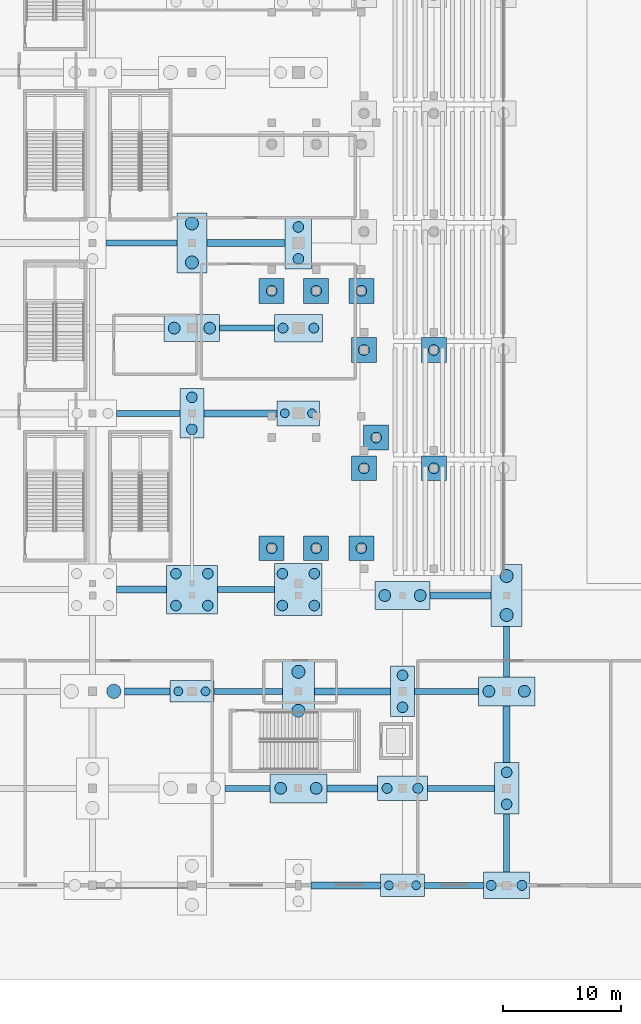
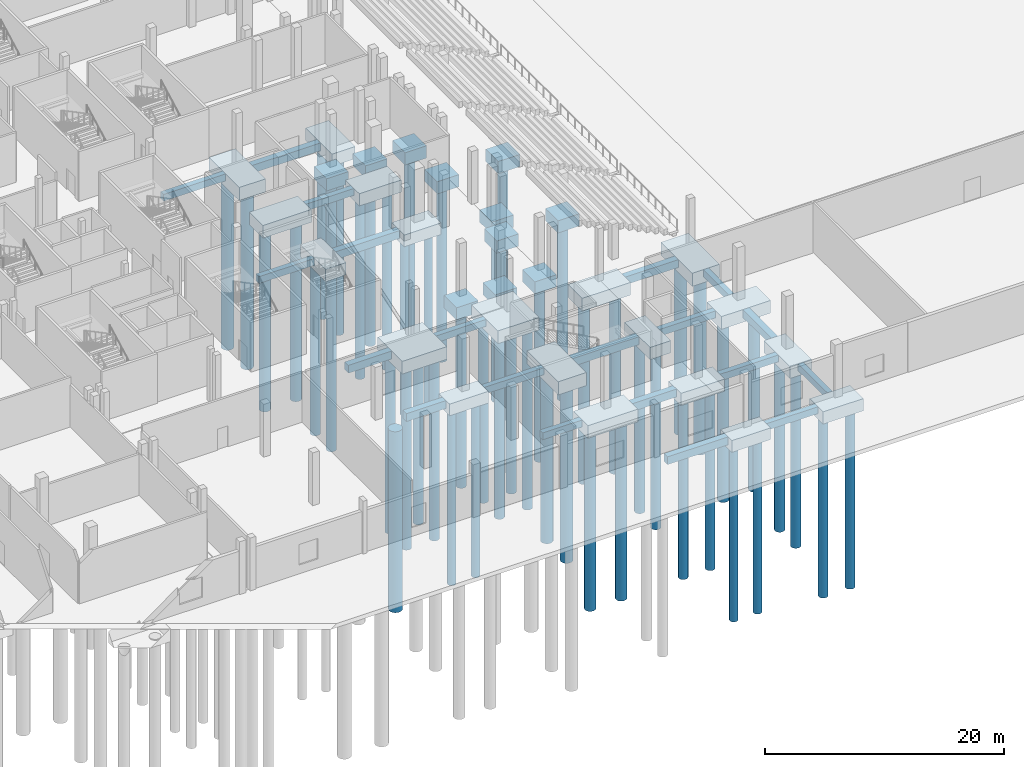
# One storey, part 3 of 89: 54 piles, 50 footings.
"""IFC4 building model written with IfcOpenShell, lengths in metres."""

import ifcopenshell
import ifcopenshell.guid

model = None  # the IFC model being written
_history = None  # IfcOwnerHistory: only IFC2X3 demands one
_inside = {}  # id of a spatial element -> (the spatial element, [elements in it])
_under = {}  # id of a project, library or spatial element -> (it, [spatial elements below it])
_declared = {}  # id of a project -> (the project, [libraries it declares])
_typed = {}  # id of a type object -> (the type object, [elements of that type])
_made_of = {}  # id of a material, layer set ... -> (it, [elements and type objects made of it])


def new_model(schema):
    """Start an empty IFC model of exactly this schema.

    Asked for "IFC4X3", IfcOpenShell would pick the latest addendum, in which some entities
    have other attributes; the version numbers below select the first issue.
    IFC2X3 requires an IfcOwnerHistory on every rooted entity: one is made here for all.
    """
    global model, _history
    if schema == "IFC4X3":
        model = ifcopenshell.file(schema_version=(4, 3, 0, 0))
    else:
        model = ifcopenshell.file(schema=schema)
    _inside.clear()
    _under.clear()
    _declared.clear()
    _typed.clear()
    _made_of.clear()
    _history = None
    if model.schema == "IFC2X3":
        org = make("IfcOrganization", Name="unknown")
        user = make(
            "IfcPersonAndOrganization",
            ThePerson=make("IfcPerson", FamilyName="unknown"),
            TheOrganization=org,
        )
        app = make(
            "IfcApplication",
            ApplicationDeveloper=org,
            Version="unknown",
            ApplicationFullName="unknown",
            ApplicationIdentifier="unknown",
        )
        _history = make(
            "IfcOwnerHistory",
            OwningUser=user,
            OwningApplication=app,
            ChangeAction="ADDED",
            CreationDate=0,
        )
    return model


def make(cls, **values):
    """One entity of the class cls with the attributes given. An attribute that is None is left unset."""
    return model.create_entity(
        cls, **{name: value for name, value in values.items() if value is not None}
    )


def rooted(cls, **values):
    """An entity with a GlobalId (a new one), such as an element, a storey or a relation."""
    return make(cls, GlobalId=ifcopenshell.guid.new(), OwnerHistory=_history, **values)


def si_unit(unit_type, name, prefix=None):
    """IfcSIUnit, for example si_unit("LENGTHUNIT", "METRE", prefix="MILLI")."""
    return make("IfcSIUnit", UnitType=unit_type, Prefix=prefix, Name=name)


def assignment(units):
    """IfcUnitAssignment: the units of a project."""
    return None if units is None else make("IfcUnitAssignment", Units=units)


def point(xyz):
    """IfcCartesianPoint."""
    return None if xyz is None else make("IfcCartesianPoint", Coordinates=xyz)


def direction(xyz):
    """IfcDirection."""
    return None if xyz is None else make("IfcDirection", DirectionRatios=xyz)


def frame(location, z_axis=None, x_axis=None):
    """IfcAxis2Placement3D, a coordinate frame: its origin and axes. An axis left out is left unset."""
    return make(
        "IfcAxis2Placement3D",
        Location=point(location),
        Axis=direction(z_axis),
        RefDirection=direction(x_axis),
    )


def frame_2d(location, x_axis=None):
    """IfcAxis2Placement2D, a coordinate frame in the plane: its origin and x axis."""
    return make(
        "IfcAxis2Placement2D", Location=point(location), RefDirection=direction(x_axis)
    )


def origin():
    """The frame at (0, 0, 0) with its axes left unset."""
    return frame((0.0, 0.0, 0.0))


def origin_2d():
    """The frame at (0, 0) in the plane with its x axis left unset."""
    return frame_2d((0.0, 0.0))


def place(relative_to, where):
    """IfcLocalPlacement: puts the frame where relative to a parent placement (None: the world)."""
    return make(
        "IfcLocalPlacement", PlacementRelTo=relative_to, RelativePlacement=where
    )


def context(
    kind, dimensions, precision=None, world=None, true_north=None, identifier=None
):
    """IfcGeometricRepresentationContext, for example the 3D "Model" context."""
    return make(
        "IfcGeometricRepresentationContext",
        ContextIdentifier=identifier,
        ContextType=kind,
        CoordinateSpaceDimension=dimensions,
        Precision=precision,
        WorldCoordinateSystem=world,
        TrueNorth=true_north,
    )


def subcontext(parent, identifier, kind, view, scale=None):
    """IfcGeometricRepresentationSubContext, for example "Body" below "Model"."""
    return make(
        "IfcGeometricRepresentationSubContext",
        ContextIdentifier=identifier,
        ContextType=kind,
        ParentContext=parent,
        TargetScale=scale,
        TargetView=view,
    )


def project(units=None, contexts=None):
    """IfcProject with its units and contexts."""
    return rooted(
        "IfcProject",
        Name="project",
        RepresentationContexts=contexts,
        UnitsInContext=assignment(units),
    )


def spatial(cls, under=None, at=None, **own):
    """A site, building, storey or space (cls), placed at a placement, below another one or the project."""
    s = rooted(cls, ObjectPlacement=at, **own)
    if under is not None:
        _under.setdefault(under.id(), (under, []))[1].append(s)
    return s


def profile(cls, at=None, kind="AREA", **sizes):
    """A parametric profile (cls). Its sizes go by their IFC names, for example OverallWidth=200.0."""
    return make(cls, ProfileType=kind, Position=at, **sizes)


def rectangle(**sizes):
    """IfcRectangleProfileDef."""
    return profile("IfcRectangleProfileDef", **sizes)


def circle(**sizes):
    """IfcCircleProfileDef."""
    return profile("IfcCircleProfileDef", **sizes)


def extrude(swept, where, along, depth):
    """IfcExtrudedAreaSolid: the profile swept, set in the frame where, extruded along a direction by depth."""
    return make(
        "IfcExtrudedAreaSolid",
        SweptArea=swept,
        Position=where,
        ExtrudedDirection=direction(along),
        Depth=depth,
    )


def shape(context_of_items, identifier, shape_type, items):
    """IfcShapeRepresentation: the items that make up one representation, for example the "Body"."""
    return make(
        "IfcShapeRepresentation",
        ContextOfItems=context_of_items,
        RepresentationIdentifier=identifier,
        RepresentationType=shape_type,
        Items=items,
    )


def material(Name=None, Category=None):
    """IfcMaterial."""
    return make("IfcMaterial", Name=Name, Category=Category)


def material_profile(
    of_material, cross_section, Name=None, Category=None, Priority=None
):
    """IfcMaterialProfile: a cross section and its material."""
    return make(
        "IfcMaterialProfile",
        Name=Name,
        Material=of_material,
        Profile=cross_section,
        Priority=Priority,
        Category=Category,
    )


def profile_set(profiles, Name=None, composite=None):
    """IfcMaterialProfileSet."""
    return make(
        "IfcMaterialProfileSet",
        Name=Name,
        MaterialProfiles=profiles,
        CompositeProfile=composite,
    )


def made_of(thing, what):
    """Note that an element or type object is made of a material, layer set ...; save() writes the relation."""
    if what is not None:
        _made_of.setdefault(what.id(), (what, []))[1].append(thing)
    return thing


def type_object(cls, material=None, **own):
    """A type object (cls), such as IfcWallType, which elements share."""
    return made_of(rooted(cls, **own), material)


def element(
    cls,
    number,
    at=None,
    inside=None,
    cuts=None,
    type_object=None,
    material=None,
    context=None,
    identifier="Body",
    shape_type=None,
    held_by="IfcProductDefinitionShape",
    body=None,
    shapes=None,
    **own,
):
    """One element of the class cls, such as IfcWall. Its Tag is "e" and its number.

    at: its placement. inside: the storey or other place that contains it. cuts: it is an
    opening in that element (IfcRelVoidsElement). A single representation is given by context,
    identifier, shape_type and body (its items); several are given by shapes. held_by: the class
    of the entity that holds the representations. save() writes the other relations.
    """
    e = rooted(cls, Tag="e%d" % number, ObjectPlacement=at, **own)
    if body is not None:
        shapes = [shape(context, identifier, shape_type, body)]
    if shapes is not None:
        e.Representation = make(held_by, Representations=shapes)
    if inside is not None:
        _inside.setdefault(inside.id(), (inside, []))[1].append(e)
    if cuts is not None:
        rooted(
            "IfcRelVoidsElement", RelatingBuildingElement=cuts, RelatedOpeningElement=e
        )
    if type_object is not None:
        _typed.setdefault(type_object.id(), (type_object, []))[1].append(e)
    return made_of(e, material)


def aggregate(whole, parts):
    """IfcRelAggregates: a whole, such as a stair, and the parts it consists of."""
    return rooted("IfcRelAggregates", RelatingObject=whole, RelatedObjects=parts)


def save(model, path):
    """Write the relations noted so far, then the file.

    IfcRelAggregates (storeys below a building ...), IfcRelContainedInSpatialStructure (elements
    in a storey), IfcRelDefinesByType, IfcRelAssociatesMaterial and IfcRelDeclares: one each for
    every whole, place, type object, material and project.
    """
    for whole, parts in _under.values():
        aggregate(whole, parts)
    for where, things in _inside.values():
        rooted(
            "IfcRelContainedInSpatialStructure",
            RelatedElements=things,
            RelatingStructure=where,
        )
    for kind, things in _typed.values():
        rooted("IfcRelDefinesByType", RelatedObjects=things, RelatingType=kind)
    for what, things in _made_of.values():
        rooted("IfcRelAssociatesMaterial", RelatedObjects=things, RelatingMaterial=what)
    for by, libraries in _declared.values():
        rooted("IfcRelDeclares", RelatingContext=by, RelatedDefinitions=libraries)
    model.write(path)


model = new_model("IFC4")

# Units and contexts
model_context = context("Model", 3, precision=1e-05, world=origin(), true_north=direction((0.0, 1.0)))
body_context = subcontext(model_context, "Body", "Model", "MODEL_VIEW")
ifc_project = project(units=[si_unit("LENGTHUNIT", "METRE"), si_unit("AREAUNIT", "SQUARE_METRE"), si_unit("VOLUMEUNIT", "CUBIC_METRE"), si_unit("PLANEANGLEUNIT", "RADIAN"), si_unit("MASSUNIT", "GRAM", prefix="KILO")], contexts=[model_context])

# Site, building, storey
site_placement = place(None, origin())
site = spatial("IfcSite", under=ifc_project, at=site_placement, CompositionType="ELEMENT")
building_placement = place(site_placement, origin())
building = spatial("IfcBuilding", under=site, at=building_placement, Name="Koshinbarg Plaza Stadium", CompositionType="ELEMENT")
storey_placement = place(building_placement, origin())
storey = spatial("IfcBuildingStorey", under=building, at=storey_placement, Name="L00", CompositionType="ELEMENT", Elevation=0.0)

# Footings
ifc_material = material(Name="Concrete C35/45", Category="concrete")
ifc_material_profile_1 = material_profile(ifc_material, rectangle(XDim=0.5, YDim=0.699951171875, at=origin_2d()), Name="GB 500x700")
ifc_profile_set_1 = profile_set([ifc_material_profile_1], Name="Concrete C35/45")
footing_type_1 = type_object("IfcFootingType", Name="FT-GB-01", PredefinedType="FOOTING_BEAM", material=ifc_profile_set_1)
footing_1_placement = place(storey_placement, frame((74.27001953125, 0.0, -0.75), z_axis=(1.0, 0.0, 0.0), x_axis=(0.0, 1.0, 0.0)))
element("IfcFooting", 1, at=footing_1_placement, inside=storey, type_object=footing_type_1, Name="Ground footing beam GB-X-007", PredefinedType="FOOTING_BEAM", context=body_context, shape_type="SweptSolid", body=[
    extrude(rectangle(XDim=0.5, YDim=0.699951171875, at=origin_2d()), origin(), (0.0, 0.0, 1.0), 4.97998046875),
])
footing_2_placement = place(storey_placement, frame((57.3798828125, 8.199951171875, -0.75), z_axis=(1.0, 0.0, 0.0), x_axis=(0.0, 1.0, 0.0)))
element("IfcFooting", 2, at=footing_2_placement, inside=storey, type_object=footing_type_1, Name="Ground footing beam GB-X-021", PredefinedType="FOOTING_BEAM", context=body_context, shape_type="SweptSolid", body=[
    extrude(rectangle(XDim=0.5, YDim=0.699951171875, at=origin_2d()), origin(), (0.0, 0.0, 1.0), 3.800048828125),
])
footing_3_placement = place(storey_placement, frame((74.510009765625, 8.199951171875, -0.75), z_axis=(1.0, 0.0, 0.0), x_axis=(0.0, 1.0, 0.0)))
element("IfcFooting", 3, at=footing_3_placement, inside=storey, type_object=footing_type_1, Name="Ground footing beam GB-X-023", PredefinedType="FOOTING_BEAM", context=body_context, shape_type="SweptSolid", body=[
    extrude(rectangle(XDim=0.5, YDim=0.699951171875, at=origin_2d()), origin(), (0.0, 0.0, 1.0), 5.64990234375),
])
footing_4_placement = place(storey_placement, frame((56.469970703125, 16.39990234375, -0.75), z_axis=(1.0, 0.0, 0.0), x_axis=(0.0, 1.0, 0.0)))
element("IfcFooting", 4, at=footing_4_placement, inside=storey, type_object=footing_type_1, Name="Ground footing beam GB-X-037", PredefinedType="FOOTING_BEAM", context=body_context, shape_type="SweptSolid", body=[
    extrude(rectangle(XDim=0.5, YDim=0.699951171875, at=origin_2d()), origin(), (0.0, 0.0, 1.0), 5.77001953125),
])
footing_5_placement = place(storey_placement, frame((73.39990234375, 16.39990234375, -0.75), z_axis=(1.0, 0.0, 0.0), x_axis=(0.0, 1.0, 0.0)))
element("IfcFooting", 5, at=footing_5_placement, inside=storey, type_object=footing_type_1, Name="Ground footing beam GB-X-039", PredefinedType="FOOTING_BEAM", context=body_context, shape_type="SweptSolid", body=[
    extrude(rectangle(XDim=0.5, YDim=0.699951171875, at=origin_2d()), origin(), (0.0, 0.0, 1.0), 5.420166015625),
])
footing_6_placement = place(storey_placement, frame((56.760009765625, 25.0, -0.800048828125), z_axis=(1.0, 0.0, 0.0), x_axis=(0.0, 1.0, 0.0)))
element("IfcFooting", 6, at=footing_6_placement, inside=storey, type_object=footing_type_1, Name="Ground footing beam GB-X-053", PredefinedType="FOOTING_BEAM", context=body_context, shape_type="SweptSolid", body=[
    extrude(rectangle(XDim=0.5, YDim=0.699951171875, at=origin_2d()), origin(), (0.0, 0.0, 1.0), 4.840087890625),
])
footing_7_placement = place(storey_placement, frame((48.22998046875, 39.89990234375, -0.800048828125), z_axis=(1.0, 0.0, 0.0), x_axis=(0.0, 1.0, 0.0)))
element("IfcFooting", 7, at=footing_7_placement, inside=storey, type_object=footing_type_1, Name="Ground footing beam GB-X-065", PredefinedType="FOOTING_BEAM", context=body_context, shape_type="SweptSolid", body=[
    extrude(rectangle(XDim=0.5, YDim=0.699951171875, at=origin_2d()), origin(), (0.0, 0.0, 1.0), 5.3701171875),
])
footing_8_placement = place(storey_placement, frame((56.93994140625, 47.10009765625, -0.800048828125), z_axis=(1.0, 0.0, 0.0), x_axis=(0.0, 1.0, 0.0)))
element("IfcFooting", 8, at=footing_8_placement, inside=storey, type_object=footing_type_1, Name="Ground footing beam GB-X-075", PredefinedType="FOOTING_BEAM", context=body_context, shape_type="SweptSolid", body=[
    extrude(rectangle(XDim=0.5, YDim=0.699951171875, at=origin_2d()), origin(), (0.0, 0.0, 1.0), 4.630126953125),
])
footing_9_placement = place(storey_placement, frame((47.320068359375, 54.300048828125, -0.800048828125), z_axis=(1.0, 0.0, 0.0), x_axis=(0.0, 1.0, 0.0)))
element("IfcFooting", 9, at=footing_9_placement, inside=storey, type_object=footing_type_1, Name="Ground footing beam GB-X-083", PredefinedType="FOOTING_BEAM", context=body_context, shape_type="SweptSolid", body=[
    extrude(rectangle(XDim=0.5, YDim=0.699951171875, at=origin_2d()), origin(), (0.0, 0.0, 1.0), 6.0),
])
footing_10_placement = place(storey_placement, frame((81.199951171875, 1.1201171875, -0.75), z_axis=(0.0, 1.0, 0.0), x_axis=(-1.0, 0.0, 0.0)))
element("IfcFooting", 10, at=footing_10_placement, inside=storey, type_object=footing_type_1, Name="Ground footing beam GB-Y-231", PredefinedType="FOOTING_BEAM", context=body_context, shape_type="SweptSolid", body=[
    extrude(rectangle(XDim=0.5, YDim=0.699951171875, at=origin_2d()), origin(), (0.0, 0.0, 1.0), 4.909912109375),
])
footing_11_placement = place(storey_placement, frame((81.199951171875, 17.6201171875, -0.75), z_axis=(0.0, 1.0, 0.0), x_axis=(-1.0, 0.0, 0.0)))
element("IfcFooting", 11, at=footing_11_placement, inside=storey, type_object=footing_type_1, Name="Ground footing beam GB-Y-233", PredefinedType="FOOTING_BEAM", context=body_context, shape_type="SweptSolid", body=[
    extrude(rectangle(XDim=0.5, YDim=0.699951171875, at=origin_2d()), origin(), (0.0, 0.0, 1.0), 4.259765625),
])
ifc_material_profile_2 = material_profile(ifc_material, rectangle(XDim=0.60009765625, YDim=0.800048828125, at=origin_2d()), Name="GB 600x800")
ifc_profile_set_2 = profile_set([ifc_material_profile_2], Name="Concrete C35/45")
footing_type_2 = type_object("IfcFootingType", Name="FT-GB-02", PredefinedType="FOOTING_BEAM", material=ifc_profile_set_2)
footing_12_placement = place(storey_placement, frame((64.679931640625, 0.0, -0.800048828125), z_axis=(1.0, 0.0, 0.0), x_axis=(0.0, 1.0, 0.0)))
element("IfcFooting", 12, at=footing_12_placement, inside=storey, type_object=footing_type_2, Name="Ground footing beam GB-X-006", PredefinedType="FOOTING_BEAM", context=body_context, shape_type="SweptSolid", body=[
    extrude(rectangle(XDim=0.60009765625, YDim=0.800048828125, at=origin_2d()), origin(), (0.0, 0.0, 1.0), 5.85009765625),
])
footing_13_placement = place(storey_placement, frame((66.02001953125, 8.199951171875, -0.800048828125), z_axis=(1.0, 0.0, 0.0), x_axis=(0.0, 1.0, 0.0)))
element("IfcFooting", 13, at=footing_13_placement, inside=storey, type_object=footing_type_2, Name="Ground footing beam GB-X-022", PredefinedType="FOOTING_BEAM", context=body_context, shape_type="SweptSolid", body=[
    extrude(rectangle(XDim=0.60009765625, YDim=0.800048828125, at=origin_2d()), origin(), (0.0, 0.0, 1.0), 4.27001953125),
])
footing_14_placement = place(storey_placement, frame((48.89990234375, 16.39990234375, -0.800048828125), z_axis=(1.0, 0.0, 0.0), x_axis=(0.0, 1.0, 0.0)))
element("IfcFooting", 14, at=footing_14_placement, inside=storey, type_object=footing_type_2, Name="Ground footing beam GB-X-036", PredefinedType="FOOTING_BEAM", context=body_context, shape_type="SweptSolid", body=[
    extrude(rectangle(XDim=0.60009765625, YDim=0.800048828125, at=origin_2d()), origin(), (0.0, 0.0, 1.0), 3.830078125),
])
footing_15_placement = place(storey_placement, frame((64.9599609375, 16.39990234375, -0.800048828125), z_axis=(1.0, 0.0, 0.0), x_axis=(0.0, 1.0, 0.0)))
element("IfcFooting", 15, at=footing_15_placement, inside=storey, type_object=footing_type_2, Name="Ground footing beam GB-X-038", PredefinedType="FOOTING_BEAM", context=body_context, shape_type="SweptSolid", body=[
    extrude(rectangle(XDim=0.60009765625, YDim=0.800048828125, at=origin_2d()), origin(), (0.0, 0.0, 1.0), 6.43994140625),
])
footing_16_placement = place(storey_placement, frame((48.239990234375, 25.0, -0.85009765625), z_axis=(1.0, 0.0, 0.0), x_axis=(0.0, 1.0, 0.0)))
element("IfcFooting", 16, at=footing_16_placement, inside=storey, type_object=footing_type_2, Name="Ground footing beam GB-X-052", PredefinedType="FOOTING_BEAM", context=body_context, shape_type="SweptSolid", body=[
    extrude(rectangle(XDim=0.60009765625, YDim=0.800048828125, at=origin_2d()), origin(), (0.0, 0.0, 1.0), 4.199951171875),
])
footing_17_placement = place(storey_placement, frame((74.739990234375, 24.5, -0.800048828125), z_axis=(1.0, 0.0, 0.0), x_axis=(0.0, 1.0, 0.0)))
element("IfcFooting", 17, at=footing_17_placement, inside=storey, type_object=footing_type_2, Name="Ground footing beam GB-X-054", PredefinedType="FOOTING_BEAM", context=body_context, shape_type="SweptSolid", body=[
    extrude(rectangle(XDim=0.60009765625, YDim=0.800048828125, at=origin_2d()), origin(), (0.0, 0.0, 1.0), 5.139892578125),
])
footing_18_placement = place(storey_placement, frame((55.60009765625, 39.89990234375, -0.85009765625), z_axis=(1.0, 0.0, 0.0), x_axis=(0.0, 1.0, 0.0)))
element("IfcFooting", 18, at=footing_18_placement, inside=storey, type_object=footing_type_2, Name="Ground footing beam GB-X-066", PredefinedType="FOOTING_BEAM", context=body_context, shape_type="SweptSolid", body=[
    extrude(rectangle(XDim=0.60009765625, YDim=0.800048828125, at=origin_2d()), origin(), (0.0, 0.0, 1.0), 6.2099609375),
])
footing_19_placement = place(storey_placement, frame((55.8798828125, 54.300048828125, -0.85009765625), z_axis=(1.0, 0.0, 0.0), x_axis=(0.0, 1.0, 0.0)))
element("IfcFooting", 19, at=footing_19_placement, inside=storey, type_object=footing_type_2, Name="Ground footing beam GB-X-084", PredefinedType="FOOTING_BEAM", context=body_context, shape_type="SweptSolid", body=[
    extrude(rectangle(XDim=0.60009765625, YDim=0.800048828125, at=origin_2d()), origin(), (0.0, 0.0, 1.0), 6.60009765625),
])
footing_20_placement = place(storey_placement, frame((81.199951171875, 10.3701171875, -0.800048828125), z_axis=(0.0, 1.0, 0.0), x_axis=(-1.0, 0.0, 0.0)))
element("IfcFooting", 20, at=footing_20_placement, inside=storey, type_object=footing_type_2, Name="Ground footing beam GB-Y-232", PredefinedType="FOOTING_BEAM", context=body_context, shape_type="SweptSolid", body=[
    extrude(rectangle(XDim=0.60009765625, YDim=0.800048828125, at=origin_2d()), origin(), (0.0, 0.0, 1.0), 4.809814453125),
])
footing_type_3 = type_object("IfcFootingType", Name="FT-PC-200x418x125", PredefinedType="PILE_CAP", material=ifc_material)
footing_21_placement = place(storey_placement, frame((54.60009765625, 39.89990234375, -1.699951171875), z_axis=(0.0, 0.0, 1.0), x_axis=(1.0, 0.0, 0.0)))
element("IfcFooting", 21, at=footing_21_placement, inside=storey, type_object=footing_type_3, Name="Bored pile cap CAP-081", PredefinedType="PILE_CAP", context=body_context, shape_type="SweptSolid", body=[
    extrude(rectangle(XDim=2.0, YDim=4.179931640625, at=origin_2d()), origin(), (0.0, 0.0, 1.0), 1.25),
])
footing_type_4 = type_object("IfcFootingType", Name="FT-PC-200x426x125", PredefinedType="PILE_CAP", material=ifc_material)
footing_22_placement = place(storey_placement, frame((72.39990234375, 16.39990234375, -1.64990234375), z_axis=(0.0, 0.0, 1.0), x_axis=(1.0, 0.0, 0.0)))
element("IfcFooting", 22, at=footing_22_placement, inside=storey, type_object=footing_type_4, Name="Bored pile cap CAP-111", PredefinedType="PILE_CAP", context=body_context, shape_type="SweptSolid", body=[
    extrude(rectangle(XDim=2.0, YDim=4.260009765625, at=origin_2d()), origin(), (0.0, 0.0, 1.0), 1.25),
])
footing_type_5 = type_object("IfcFootingType", Name="FT-PC-208x434x125", PredefinedType="PILE_CAP", material=ifc_material)
footing_23_placement = place(storey_placement, frame((81.199951171875, 8.199951171875, -1.64990234375), z_axis=(0.0, 0.0, 1.0), x_axis=(1.0, 0.0, 0.0)))
element("IfcFooting", 23, at=footing_23_placement, inside=storey, type_object=footing_type_5, Name="Bored pile cap CAP-117", PredefinedType="PILE_CAP", context=body_context, shape_type="SweptSolid", body=[
    extrude(rectangle(XDim=2.080078125, YDim=4.340087890625, at=origin_2d()), origin(), (0.0, 0.0, 1.0), 1.25),
])
footing_type_6 = type_object("IfcFootingType", Name="FT-PC-210x210x125", PredefinedType="PILE_CAP", material=ifc_material)
for number, where, z_axis, x_axis, name in (
    (24, (75.050048828125, 35.25, -1.699951171875), (0.0, 0.0, 1.0), (1.0, 0.0, 0.0), "Bowl raker pile cap LT-W01-R-M"),
    (25, (69.139892578125, 35.25, -1.699951171875), (0.0, 0.0, 1.0), (1.0, 0.0, 0.0), "Bowl raker pile cap LT-W01-R-B"),
    (26, (75.050048828125, 45.25, -1.699951171875), (0.0, 0.0, 1.0), (1.0, 0.0, 0.0), "Bowl raker pile cap LT-W02-R-M"),
    (27, (69.139892578125, 45.25, -1.699951171875), (0.0, 0.0, 1.0), (1.0, 0.0, 0.0), "Bowl raker pile cap LT-W02-R-B"),
    (28, (68.919921875, 28.5, -1.699951171875), (0.0, 0.0, 1.0), (1.0, 0.0, 0.0), "Bowl raker pile cap UT-W01-L-CF"),
    (29, (65.10009765625, 28.5, -1.699951171875), (0.0, 0.0, 1.0), (1.0, 0.0, 0.0), "Bowl raker pile cap UT-W01-L-CM"),
    (30, (61.340087890625, 28.5, -1.699951171875), (0.0, 0.0, 1.0), (1.0, 0.0, 0.0), "Bowl raker pile cap UT-W01-L-CB"),
    (31, (70.169921875, 37.85009765625, -1.699951171875), (0.0, 0.0, 1.0), (1.0, 0.0, 0.0), "Bowl raker pile cap UT-W01-R-CF"),
    (32, (68.919921875, 50.25, -1.699951171875), (0.0, 0.0, 1.0), (1.0, 0.0, 0.0), "Bowl raker pile cap UT-W02-R-CF"),
    (33, (65.10009765625, 50.25, -1.699951171875), (0.0, 0.0, 1.0), (1.0, 0.0, 0.0), "Bowl raker pile cap UT-W02-R-CM"),
    (34, (61.340087890625, 50.25, -1.699951171875), (0.0, 0.0, 1.0), (1.0, 0.0, 0.0), "Bowl raker pile cap UT-W02-R-CB"),
):
    element("IfcFooting", number, at=place(storey_placement, frame(where, z_axis=z_axis, x_axis=x_axis)), inside=storey, type_object=footing_type_6, Name=name, PredefinedType="PILE_CAP", context=body_context, shape_type="SweptSolid", body=[
        extrude(rectangle(XDim=2.10009765625, YDim=2.10009765625, at=origin_2d()), origin(), (0.0, 0.0, 1.0), 1.25),
    ])
footing_type_7 = type_object("IfcFootingType", Name="FT-PC-224x442x125", PredefinedType="PILE_CAP", material=ifc_material)
footing_24_placement = place(storey_placement, frame((63.60009765625, 54.300048828125, -1.699951171875), z_axis=(0.0, 0.0, 1.0), x_axis=(1.0, 0.0, 0.0)))
element("IfcFooting", 35, at=footing_24_placement, inside=storey, type_object=footing_type_7, Name="Bored pile cap CAP-099", PredefinedType="PILE_CAP", context=body_context, shape_type="SweptSolid", body=[
    extrude(rectangle(XDim=2.239990234375, YDim=4.419921875, at=origin_2d()), origin(), (0.0, 0.0, 1.0), 1.25),
])
footing_type_8 = type_object("IfcFootingType", Name="FT-PC-256x508x135", PredefinedType="PILE_CAP", material=ifc_material)
footing_25_placement = place(storey_placement, frame((54.60009765625, 54.300048828125, -1.800048828125), z_axis=(0.0, 0.0, 1.0), x_axis=(1.0, 0.0, 0.0)))
element("IfcFooting", 36, at=footing_25_placement, inside=storey, type_object=footing_type_8, Name="Bored pile cap CAP-083", PredefinedType="PILE_CAP", context=body_context, shape_type="SweptSolid", body=[
    extrude(rectangle(XDim=2.56005859375, YDim=5.080078125, at=origin_2d()), origin(), (0.0, 0.0, 1.0), 1.35009765625),
])
footing_type_9 = type_object("IfcFootingType", Name="FT-PC-264x524x135", PredefinedType="PILE_CAP", material=ifc_material)
footing_26_placement = place(storey_placement, frame((81.199951171875, 24.5, -1.75), z_axis=(0.0, 0.0, 1.0), x_axis=(1.0, 0.0, 0.0)))
element("IfcFooting", 37, at=footing_26_placement, inside=storey, type_object=footing_type_9, Name="Bored pile cap CAP-119", PredefinedType="PILE_CAP", context=body_context, shape_type="SweptSolid", body=[
    extrude(rectangle(XDim=2.639892578125, YDim=5.239990234375, at=origin_2d()), origin(), (0.0, 0.0, 1.0), 1.35009765625),
])
footing_type_10 = type_object("IfcFootingType", Name="FT-PC-272x524x135", PredefinedType="PILE_CAP", material=ifc_material)
footing_27_placement = place(storey_placement, frame((63.60009765625, 16.39990234375, -1.75), z_axis=(0.0, 0.0, 1.0), x_axis=(1.0, 0.0, 0.0)))
element("IfcFooting", 38, at=footing_27_placement, inside=storey, type_object=footing_type_10, Name="Bored pile cap CAP-095", PredefinedType="PILE_CAP", context=body_context, shape_type="SweptSolid", body=[
    extrude(rectangle(XDim=2.719970703125, YDim=5.239990234375, at=origin_2d()), origin(), (0.0, 0.0, 1.0), 1.35009765625),
])
footing_type_11 = type_object("IfcFootingType", Name="FT-PC-358x212x120", PredefinedType="PILE_CAP", material=ifc_material)
footing_28_placement = place(storey_placement, frame((63.60009765625, 39.89990234375, -1.64990234375), z_axis=(0.0, 0.0, 1.0), x_axis=(1.0, 0.0, 0.0)))
element("IfcFooting", 39, at=footing_28_placement, inside=storey, type_object=footing_type_11, Name="Bored pile cap CAP-097", PredefinedType="PILE_CAP", context=body_context, shape_type="SweptSolid", body=[
    extrude(rectangle(XDim=3.580078125, YDim=2.1201171875, at=origin_2d()), origin(), (0.0, 0.0, 1.0), 1.199951171875),
])
footing_type_12 = type_object("IfcFootingType", Name="FT-PC-374x180x120", PredefinedType="PILE_CAP", material=ifc_material)
footing_29_placement = place(storey_placement, frame((54.60009765625, 16.39990234375, -1.60009765625), z_axis=(0.0, 0.0, 1.0), x_axis=(1.0, 0.0, 0.0)))
element("IfcFooting", 40, at=footing_29_placement, inside=storey, type_object=footing_type_12, Name="Bored pile cap CAP-079", PredefinedType="PILE_CAP", context=body_context, shape_type="SweptSolid", body=[
    extrude(rectangle(XDim=3.739990234375, YDim=1.800048828125, at=origin_2d()), origin(), (0.0, 0.0, 1.0), 1.199951171875),
])
footing_type_13 = type_object("IfcFootingType", Name="FT-PC-374x188x120", PredefinedType="PILE_CAP", material=ifc_material)
footing_30_placement = place(storey_placement, frame((72.39990234375, 0.0, -1.60009765625), z_axis=(0.0, 0.0, 1.0), x_axis=(1.0, 0.0, 0.0)))
element("IfcFooting", 41, at=footing_30_placement, inside=storey, type_object=footing_type_13, Name="Bored pile cap CAP-109", PredefinedType="PILE_CAP", context=body_context, shape_type="SweptSolid", body=[
    extrude(rectangle(XDim=3.739990234375, YDim=1.8798828125, at=origin_2d()), origin(), (0.0, 0.0, 1.0), 1.199951171875),
])
footing_type_14 = type_object("IfcFootingType", Name="FT-PC-390x224x125", PredefinedType="PILE_CAP", material=ifc_material)
footing_31_placement = place(storey_placement, frame((81.199951171875, 0.0, -1.64990234375), z_axis=(0.0, 0.0, 1.0), x_axis=(1.0, 0.0, 0.0)))
element("IfcFooting", 42, at=footing_31_placement, inside=storey, type_object=footing_type_14, Name="Bored pile cap CAP-116", PredefinedType="PILE_CAP", context=body_context, shape_type="SweptSolid", body=[
    extrude(rectangle(XDim=3.89990234375, YDim=2.239990234375, at=origin_2d()), origin(), (0.0, 0.0, 1.0), 1.25),
])
footing_type_15 = type_object("IfcFootingType", Name="FT-PC-400x442x130", PredefinedType="PILE_CAP", material=ifc_material)
footing_32_placement = place(storey_placement, frame((63.60009765625, 25.0, -1.75), z_axis=(0.0, 0.0, 1.0), x_axis=(1.0, 0.0, 0.0)))
element("IfcFooting", 43, at=footing_32_placement, inside=storey, type_object=footing_type_15, Name="Bored pile cap CAP-096", PredefinedType="PILE_CAP", context=body_context, shape_type="SweptSolid", body=[
    extrude(rectangle(XDim=4.0, YDim=4.419921875, at=origin_2d()), origin(), (0.0, 0.0, 1.0), 1.300048828125),
])
footing_type_16 = type_object("IfcFootingType", Name="FT-PC-406x232x125", PredefinedType="PILE_CAP", material=ifc_material)
footing_33_placement = place(storey_placement, frame((63.60009765625, 47.10009765625, -1.699951171875), z_axis=(0.0, 0.0, 1.0), x_axis=(1.0, 0.0, 0.0)))
element("IfcFooting", 44, at=footing_33_placement, inside=storey, type_object=footing_type_16, Name="Bored pile cap CAP-098", PredefinedType="PILE_CAP", context=body_context, shape_type="SweptSolid", body=[
    extrude(rectangle(XDim=4.06005859375, YDim=2.320068359375, at=origin_2d()), origin(), (0.0, 0.0, 1.0), 1.25),
])
footing_type_17 = type_object("IfcFootingType", Name="FT-PC-422x208x125", PredefinedType="PILE_CAP", material=ifc_material)
footing_34_placement = place(storey_placement, frame((72.39990234375, 8.199951171875, -1.64990234375), z_axis=(0.0, 0.0, 1.0), x_axis=(1.0, 0.0, 0.0)))
element("IfcFooting", 45, at=footing_34_placement, inside=storey, type_object=footing_type_17, Name="Bored pile cap CAP-110", PredefinedType="PILE_CAP", context=body_context, shape_type="SweptSolid", body=[
    extrude(rectangle(XDim=4.219970703125, YDim=2.080078125, at=origin_2d()), origin(), (0.0, 0.0, 1.0), 1.25),
])
footing_type_18 = type_object("IfcFootingType", Name="FT-PC-432x410x130", PredefinedType="PILE_CAP", material=ifc_material)
footing_35_placement = place(storey_placement, frame((54.60009765625, 25.0, -1.75), z_axis=(0.0, 0.0, 1.0), x_axis=(1.0, 0.0, 0.0)))
element("IfcFooting", 46, at=footing_35_placement, inside=storey, type_object=footing_type_18, Name="Bored pile cap CAP-080", PredefinedType="PILE_CAP", context=body_context, shape_type="SweptSolid", body=[
    extrude(rectangle(XDim=4.320068359375, YDim=4.10009765625, at=origin_2d()), origin(), (0.0, 0.0, 1.0), 1.300048828125),
])
footing_type_19 = type_object("IfcFootingType", Name="FT-PC-468x228x130", PredefinedType="PILE_CAP", material=ifc_material)
footing_36_placement = place(storey_placement, frame((54.60009765625, 47.10009765625, -1.75), z_axis=(0.0, 0.0, 1.0), x_axis=(1.0, 0.0, 0.0)))
element("IfcFooting", 47, at=footing_36_placement, inside=storey, type_object=footing_type_19, Name="Bored pile cap CAP-082", PredefinedType="PILE_CAP", context=body_context, shape_type="SweptSolid", body=[
    extrude(rectangle(XDim=4.679931640625, YDim=2.280029296875, at=origin_2d()), origin(), (0.0, 0.0, 1.0), 1.300048828125),
])
footing_type_20 = type_object("IfcFootingType", Name="FT-PC-468x236x130", PredefinedType="PILE_CAP", material=ifc_material)
footing_37_placement = place(storey_placement, frame((72.39990234375, 24.5, -1.7001953125), z_axis=(0.0, 0.0, 1.0), x_axis=(1.0, 0.0, 0.0)))
element("IfcFooting", 48, at=footing_37_placement, inside=storey, type_object=footing_type_20, Name="Bored pile cap CAP-112", PredefinedType="PILE_CAP", context=body_context, shape_type="SweptSolid", body=[
    extrude(rectangle(XDim=4.679931640625, YDim=2.360107421875, at=origin_2d()), origin(), (0.0, 0.0, 1.0), 1.300048828125),
])
footing_type_21 = type_object("IfcFootingType", Name="FT-PC-476x244x130", PredefinedType="PILE_CAP", material=ifc_material)
footing_38_placement = place(storey_placement, frame((81.199951171875, 16.39990234375, -1.7001953125), z_axis=(0.0, 0.0, 1.0), x_axis=(1.0, 0.0, 0.0)))
element("IfcFooting", 49, at=footing_38_placement, inside=storey, type_object=footing_type_21, Name="Bored pile cap CAP-118", PredefinedType="PILE_CAP", context=body_context, shape_type="SweptSolid", body=[
    extrude(rectangle(XDim=4.760009765625, YDim=2.43994140625, at=origin_2d()), origin(), (0.0, 0.0, 1.0), 1.300048828125),
])
footing_type_22 = type_object("IfcFootingType", Name="FT-PC-484x244x130", PredefinedType="PILE_CAP", material=ifc_material)
footing_39_placement = place(storey_placement, frame((63.60009765625, 8.199951171875, -1.7001953125), z_axis=(0.0, 0.0, 1.0), x_axis=(1.0, 0.0, 0.0)))
element("IfcFooting", 50, at=footing_39_placement, inside=storey, type_object=footing_type_22, Name="Bored pile cap CAP-094", PredefinedType="PILE_CAP", context=body_context, shape_type="SweptSolid", body=[
    extrude(rectangle(XDim=4.840087890625, YDim=2.43994140625, at=origin_2d()), origin(), (0.0, 0.0, 1.0), 1.300048828125),
])

# Piles
ifc_material_profile_3 = material_profile(ifc_material, circle(Radius=0.5, at=origin_2d()), Name="PILE D1000")
ifc_profile_set_3 = profile_set([ifc_material_profile_3], Name="Concrete C35/45")
pile_type_1 = type_object("IfcPileType", Name="PL-D1000", PredefinedType="BORED", material=ifc_profile_set_3)
for number, where, z_axis, x_axis, name in (
    (51, (53.10009765625, 47.10009765625, -1.64990234375), (0.0, 0.0, -1.0), (1.0, 0.0, 0.0), "Bored pile CAP-082-1"),
    (52, (56.10009765625, 47.10009765625, -1.64990234375), (0.0, 0.0, -1.0), (1.0, 0.0, 0.0), "Bored pile CAP-082-2"),
    (53, (62.10009765625, 8.199951171875, -1.60009765625), (0.0, 0.0, -1.0), (1.0, 0.0, 0.0), "Bored pile CAP-094-1"),
    (54, (65.10009765625, 8.199951171875, -1.60009765625), (0.0, 0.0, -1.0), (1.0, 0.0, 0.0), "Bored pile CAP-094-2"),
    (55, (70.89990234375, 24.5, -1.60009765625), (0.0, 0.0, -1.0), (1.0, 0.0, 0.0), "Bored pile CAP-112-1"),
    (56, (73.89990234375, 24.5, -1.60009765625), (0.0, 0.0, -1.0), (1.0, 0.0, 0.0), "Bored pile CAP-112-2"),
    (57, (79.699951171875, 16.39990234375, -1.60009765625), (0.0, 0.0, -1.0), (1.0, 0.0, 0.0), "Bored pile CAP-118-1"),
    (58, (82.699951171875, 16.39990234375, -1.60009765625), (0.0, 0.0, -1.0), (1.0, 0.0, 0.0), "Bored pile CAP-118-2"),
):
    element("IfcPile", number, at=place(storey_placement, frame(where, z_axis=z_axis, x_axis=x_axis)), inside=storey, type_object=pile_type_1, Name=name, PredefinedType="BORED", context=body_context, shape_type="SweptSolid", body=[
        extrude(circle(Radius=0.5, at=origin_2d()), origin(), (0.0, 0.0, 1.0), 18.5),
    ])
ifc_material_profile_4 = material_profile(ifc_material, circle(Radius=0.550048828125, at=origin_2d()), Name="PILE D1100")
ifc_profile_set_4 = profile_set([ifc_material_profile_4], Name="Concrete C35/45")
pile_type_2 = type_object("IfcPileType", Name="PL-D1100", PredefinedType="BORED", material=ifc_profile_set_4)
for number, where, z_axis, x_axis, name in (
    (59, (54.60009765625, 52.64990234375, -1.699951171875), (0.0, 0.0, -1.0), (1.0, 0.0, 0.0), "Bored pile CAP-083-1"),
    (60, (54.60009765625, 55.949951171875, -1.699951171875), (0.0, 0.0, -1.0), (1.0, 0.0, 0.0), "Bored pile CAP-083-2"),
    (61, (63.60009765625, 14.75, -1.64990234375), (0.0, 0.0, -1.0), (1.0, 0.0, 0.0), "Bored pile CAP-095-1"),
    (62, (63.60009765625, 18.050048828125, -1.64990234375), (0.0, 0.0, -1.0), (1.0, 0.0, 0.0), "Bored pile CAP-095-2"),
    (63, (81.199951171875, 22.85009765625, -1.64990234375), (0.0, 0.0, -1.0), (1.0, 0.0, 0.0), "Bored pile CAP-119-1"),
    (64, (81.199951171875, 26.14990234375, -1.64990234375), (0.0, 0.0, -1.0), (1.0, 0.0, 0.0), "Bored pile CAP-119-2"),
):
    element("IfcPile", number, at=place(storey_placement, frame(where, z_axis=z_axis, x_axis=x_axis)), inside=storey, type_object=pile_type_2, Name=name, PredefinedType="BORED", context=body_context, shape_type="SweptSolid", body=[
        extrude(circle(Radius=0.550048828125, at=origin_2d()), origin(), (0.0, 0.0, 1.0), 18.0),
    ])
ifc_material_profile_5 = material_profile(ifc_material, circle(Radius=0.60009765625, at=origin_2d()), Name="PILE D1200")
ifc_profile_set_5 = profile_set([ifc_material_profile_5], Name="Concrete C35/45")
pile_type_3 = type_object("IfcPileType", Name="PL-D1200", PredefinedType="BORED", material=ifc_profile_set_5)
pile_placement = place(storey_placement, frame((48.0, 16.39990234375, -1.699951171875), z_axis=(0.0, 0.0, -1.0), x_axis=(1.0, 0.0, 0.0)))
element("IfcPile", 65, at=pile_placement, inside=storey, type_object=pile_type_3, Name="Bored pile CAP-066-2", PredefinedType="BORED", context=body_context, shape_type="SweptSolid", body=[
    extrude(circle(Radius=0.60009765625, at=origin_2d()), origin(), (0.0, 0.0, 1.0), 18.5),
])
ifc_material_profile_6 = material_profile(ifc_material, circle(Radius=0.375, at=origin_2d()), Name="PILE D750")
ifc_profile_set_6 = profile_set([ifc_material_profile_6], Name="Concrete C35/45")
pile_type_4 = type_object("IfcPileType", Name="PL-D750", PredefinedType="BORED", material=ifc_profile_set_6)
for number, where, z_axis, x_axis, name in (
    (66, (53.449951171875, 16.39990234375, -1.5), (0.0, 0.0, -1.0), (1.0, 0.0, 0.0), "Bored pile CAP-079-1"),
    (67, (55.75, 16.39990234375, -1.5), (0.0, 0.0, -1.0), (1.0, 0.0, 0.0), "Bored pile CAP-079-2"),
    (68, (62.449951171875, 39.89990234375, -1.550048828125), (0.0, 0.0, -1.0), (1.0, 0.0, 0.0), "Bored pile CAP-097-1"),
    (69, (64.75, 39.89990234375, -1.550048828125), (0.0, 0.0, -1.0), (1.0, 0.0, 0.0), "Bored pile CAP-097-2"),
    (70, (71.25, 0.0, -1.5), (0.0, 0.0, -1.0), (1.0, 0.0, 0.0), "Bored pile CAP-109-1"),
    (71, (73.550048828125, 0.0, -1.5), (0.0, 0.0, -1.0), (1.0, 0.0, 0.0), "Bored pile CAP-109-2"),
):
    element("IfcPile", number, at=place(storey_placement, frame(where, z_axis=z_axis, x_axis=x_axis)), inside=storey, type_object=pile_type_4, Name=name, PredefinedType="BORED", context=body_context, shape_type="SweptSolid", body=[
        extrude(circle(Radius=0.375, at=origin_2d()), origin(), (0.0, 0.0, 1.0), 18.0),
    ])
ifc_material_profile_7 = material_profile(ifc_material, circle(Radius=0.425048828125, at=origin_2d()), Name="PILE D850")
ifc_profile_set_7 = profile_set([ifc_material_profile_7], Name="Concrete C35/45")
pile_type_5 = type_object("IfcPileType", Name="PL-D850", PredefinedType="BORED", material=ifc_profile_set_7)
for number, where, z_axis, x_axis, name in (
    (72, (62.300048828125, 47.10009765625, -1.60009765625), (0.0, 0.0, -1.0), (1.0, 0.0, 0.0), "Bored pile CAP-098-1"),
    (73, (64.89990234375, 47.10009765625, -1.60009765625), (0.0, 0.0, -1.0), (1.0, 0.0, 0.0), "Bored pile CAP-098-2"),
    (74, (71.10009765625, 8.199951171875, -1.550048828125), (0.0, 0.0, -1.0), (1.0, 0.0, 0.0), "Bored pile CAP-110-1"),
    (75, (73.699951171875, 8.199951171875, -1.550048828125), (0.0, 0.0, -1.0), (1.0, 0.0, 0.0), "Bored pile CAP-110-2"),
    (76, (79.89990234375, 0.0, -1.550048828125), (0.0, 0.0, -1.0), (1.0, 0.0, 0.0), "Bored pile CAP-116-1"),
    (77, (82.5, 0.0, -1.550048828125), (0.0, 0.0, -1.0), (1.0, 0.0, 0.0), "Bored pile CAP-116-2"),
):
    element("IfcPile", number, at=place(storey_placement, frame(where, z_axis=z_axis, x_axis=x_axis)), inside=storey, type_object=pile_type_5, Name=name, PredefinedType="BORED", context=body_context, shape_type="SweptSolid", body=[
        extrude(circle(Radius=0.425048828125, at=origin_2d()), origin(), (0.0, 0.0, 1.0), 18.5),
    ])
ifc_material_profile_8 = material_profile(ifc_material, circle(Radius=0.449951171875, at=origin_2d()), Name="PILE D900")
ifc_profile_set_8 = profile_set([ifc_material_profile_8], Name="Concrete C35/45")
pile_type_6 = type_object("IfcPileType", Name="PL-D900", PredefinedType="BORED", material=ifc_profile_set_8)
for number, where, z_axis, x_axis, name in (
    (78, (53.25, 23.64990234375, -1.64990234375), (0.0, 0.0, -1.0), (1.0, 0.0, 0.0), "Bored pile CAP-080-1"),
    (79, (55.949951171875, 23.64990234375, -1.64990234375), (0.0, 0.0, -1.0), (1.0, 0.0, 0.0), "Bored pile CAP-080-2"),
    (80, (53.25, 26.35009765625, -1.64990234375), (0.0, 0.0, -1.0), (1.0, 0.0, 0.0), "Bored pile CAP-080-3"),
    (81, (55.949951171875, 26.35009765625, -1.64990234375), (0.0, 0.0, -1.0), (1.0, 0.0, 0.0), "Bored pile CAP-080-4"),
):
    element("IfcPile", number, at=place(storey_placement, frame(where, z_axis=z_axis, x_axis=x_axis)), inside=storey, type_object=pile_type_6, Name=name, PredefinedType="BORED", context=body_context, shape_type="SweptSolid", body=[
        extrude(circle(Radius=0.449951171875, at=origin_2d()), origin(), (0.0, 0.0, 1.0), 18.5),
    ])
for number, where, z_axis, x_axis, name in (
    (82, (54.60009765625, 38.550048828125, -1.60009765625), (0.0, 0.0, -1.0), (1.0, 0.0, 0.0), "Bored pile CAP-081-1"),
    (83, (54.60009765625, 41.25, -1.60009765625), (0.0, 0.0, -1.0), (1.0, 0.0, 0.0), "Bored pile CAP-081-2"),
):
    element("IfcPile", number, at=place(storey_placement, frame(where, z_axis=z_axis, x_axis=x_axis)), inside=storey, type_object=pile_type_6, Name=name, PredefinedType="BORED", context=body_context, shape_type="SweptSolid", body=[
        extrude(circle(Radius=0.449951171875, at=origin_2d()), origin(), (0.0, 0.0, 1.0), 18.0),
    ])
for number, where, z_axis, x_axis, name in (
    (84, (62.25, 23.64990234375, -1.64990234375), (0.0, 0.0, -1.0), (1.0, 0.0, 0.0), "Bored pile CAP-096-1"),
    (85, (64.949951171875, 23.64990234375, -1.64990234375), (0.0, 0.0, -1.0), (1.0, 0.0, 0.0), "Bored pile CAP-096-2"),
    (86, (62.25, 26.35009765625, -1.64990234375), (0.0, 0.0, -1.0), (1.0, 0.0, 0.0), "Bored pile CAP-096-3"),
    (87, (64.949951171875, 26.35009765625, -1.64990234375), (0.0, 0.0, -1.0), (1.0, 0.0, 0.0), "Bored pile CAP-096-4"),
):
    element("IfcPile", number, at=place(storey_placement, frame(where, z_axis=z_axis, x_axis=x_axis)), inside=storey, type_object=pile_type_6, Name=name, PredefinedType="BORED", context=body_context, shape_type="SweptSolid", body=[
        extrude(circle(Radius=0.449951171875, at=origin_2d()), origin(), (0.0, 0.0, 1.0), 18.5),
    ])
for number, where, z_axis, x_axis, name in (
    (88, (63.60009765625, 52.949951171875, -1.60009765625), (0.0, 0.0, -1.0), (1.0, 0.0, 0.0), "Bored pile CAP-099-1"),
    (89, (63.60009765625, 55.64990234375, -1.60009765625), (0.0, 0.0, -1.0), (1.0, 0.0, 0.0), "Bored pile CAP-099-2"),
    (90, (72.39990234375, 15.050048828125, -1.550048828125), (0.0, 0.0, -1.0), (1.0, 0.0, 0.0), "Bored pile CAP-111-1"),
    (91, (72.39990234375, 17.75, -1.550048828125), (0.0, 0.0, -1.0), (1.0, 0.0, 0.0), "Bored pile CAP-111-2"),
    (92, (81.199951171875, 6.85009765625, -1.550048828125), (0.0, 0.0, -1.0), (1.0, 0.0, 0.0), "Bored pile CAP-117-1"),
    (93, (81.199951171875, 9.550048828125, -1.550048828125), (0.0, 0.0, -1.0), (1.0, 0.0, 0.0), "Bored pile CAP-117-2"),
    (94, (75.050048828125, 35.25, -1.60009765625), (0.0, 0.0, -1.0), (1.0, 0.0, 0.0), "Bowl raker bored pile LT-W01-R-M"),
    (95, (69.139892578125, 35.25, -1.60009765625), (0.0, 0.0, -1.0), (1.0, 0.0, 0.0), "Bowl raker bored pile LT-W01-R-B"),
    (96, (75.050048828125, 45.25, -1.60009765625), (0.0, 0.0, -1.0), (1.0, 0.0, 0.0), "Bowl raker bored pile LT-W02-R-M"),
    (97, (69.139892578125, 45.25, -1.60009765625), (0.0, 0.0, -1.0), (1.0, 0.0, 0.0), "Bowl raker bored pile LT-W02-R-B"),
    (98, (68.919921875, 28.5, -1.60009765625), (0.0, 0.0, -1.0), (1.0, 0.0, 0.0), "Bowl raker bored pile UT-W01-L-CF"),
    (99, (65.10009765625, 28.5, -1.60009765625), (0.0, 0.0, -1.0), (1.0, 0.0, 0.0), "Bowl raker bored pile UT-W01-L-CM"),
    (100, (61.340087890625, 28.5, -1.60009765625), (0.0, 0.0, -1.0), (1.0, 0.0, 0.0), "Bowl raker bored pile UT-W01-L-CB"),
    (101, (70.169921875, 37.85009765625, -1.60009765625), (0.0, 0.0, -1.0), (1.0, 0.0, 0.0), "Bowl raker bored pile UT-W01-R-CF"),
    (102, (68.919921875, 50.25, -1.60009765625), (0.0, 0.0, -1.0), (1.0, 0.0, 0.0), "Bowl raker bored pile UT-W02-R-CF"),
    (103, (65.10009765625, 50.25, -1.60009765625), (0.0, 0.0, -1.0), (1.0, 0.0, 0.0), "Bowl raker bored pile UT-W02-R-CM"),
    (104, (61.340087890625, 50.25, -1.60009765625), (0.0, 0.0, -1.0), (1.0, 0.0, 0.0), "Bowl raker bored pile UT-W02-R-CB"),
):
    element("IfcPile", number, at=place(storey_placement, frame(where, z_axis=z_axis, x_axis=x_axis)), inside=storey, type_object=pile_type_6, Name=name, PredefinedType="BORED", context=body_context, shape_type="SweptSolid", body=[
        extrude(circle(Radius=0.449951171875, at=origin_2d()), origin(), (0.0, 0.0, 1.0), 18.0),
    ])

save(model, "model.ifc")
